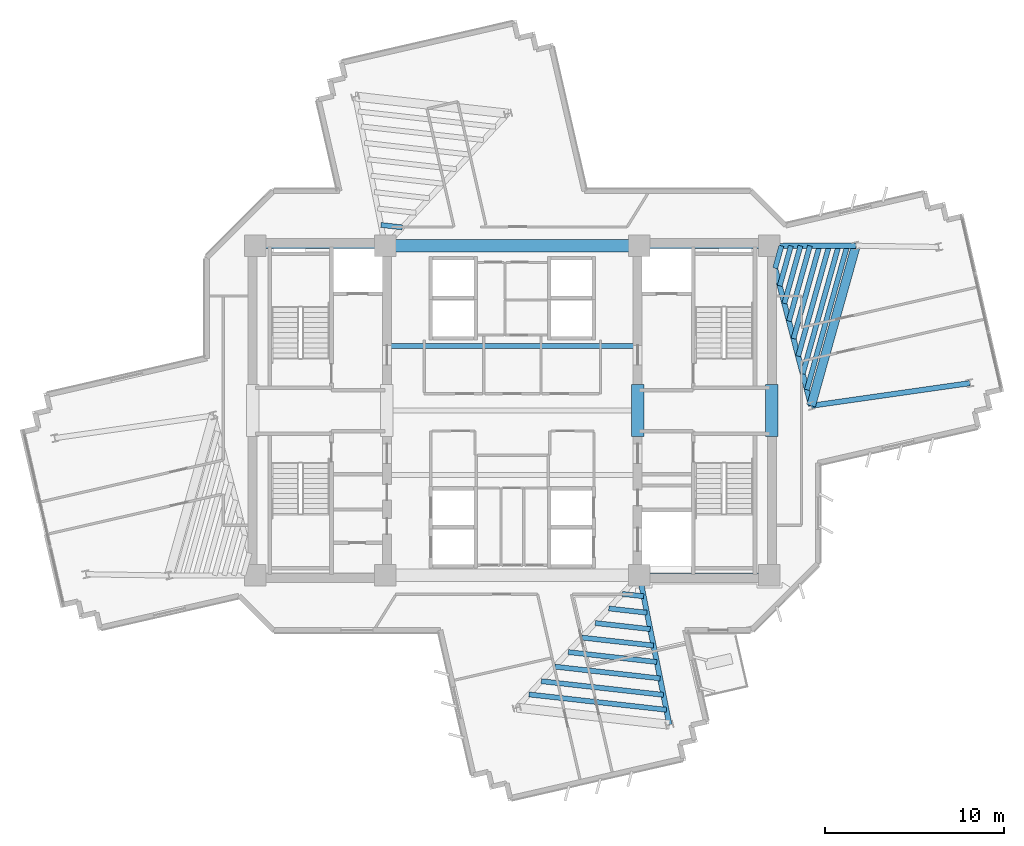
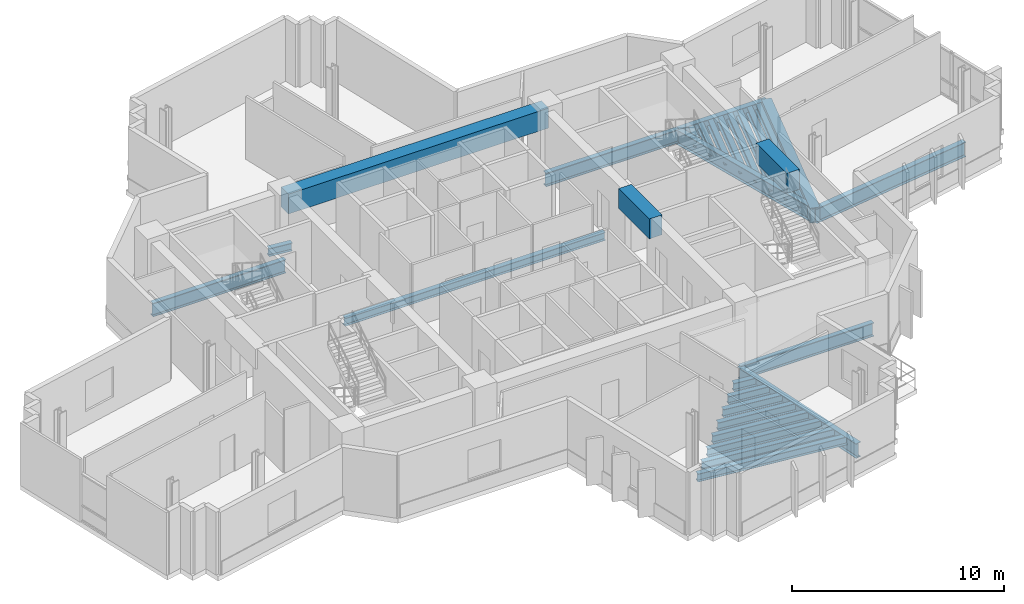
# One storey, part 3 of 13: 29 beams.
"""IFC4 building model written with IfcOpenShell, lengths in metres."""

from ifc_helpers import new_model, si_unit, direction, frame, origin, origin_2d, place, context, subcontext, project, spatial, rectangle, i_section, extrude, source, transform, mapped, material, material_profile, profile_set, type_object, element, save


model = new_model("IFC4")

# Units and contexts
model_context = context("Model", 3, precision=1e-05, world=origin(), true_north=direction((0.0, 1.0)))
body_context = subcontext(model_context, "Body", "Model", "MODEL_VIEW")
ifc_project = project(units=[si_unit("LENGTHUNIT", "METRE"), si_unit("AREAUNIT", "SQUARE_METRE"), si_unit("VOLUMEUNIT", "CUBIC_METRE"), si_unit("PLANEANGLEUNIT", "RADIAN"), si_unit("MASSUNIT", "GRAM", prefix="KILO")], contexts=[model_context])

# Site, building, storey
site_placement = place(None, origin())
site = spatial("IfcSite", under=ifc_project, at=site_placement, CompositionType="ELEMENT")
building_placement = place(site_placement, origin())
building = spatial("IfcBuilding", under=site, at=building_placement, Name="Zahravan Cultural Tower", CompositionType="ELEMENT")
storey_placement = place(building_placement, frame((0.0, 0.0, 170.699951171875)))
storey = spatial("IfcBuildingStorey", under=building, at=storey_placement, Name="L39", CompositionType="ELEMENT", Elevation=170.699951171875)

# Beams
ifc_material_1 = material(Name="Concrete C50/60", Category="concrete")
ifc_material_profile_1 = material_profile(ifc_material_1, rectangle(XDim=0.699951171875, YDim=1.14990234375, at=origin_2d()), Name="RC700X1150")
ifc_profile_set_1 = profile_set([ifc_material_profile_1], Name="Concrete C50/60")
beam_type_1 = type_object("IfcBeamType", Name="BM-LN-RC700X1150", PredefinedType="LINTEL", material=ifc_profile_set_1)
shared_shape_1 = source(origin(), body_context, "Body", "SweptSolid", [
    extrude(rectangle(XDim=0.699951171875, YDim=1.14990234375, at=origin_2d()), origin(), (0.0, 0.0, 1.0), 14.2001953125),
])
beam_1_placement = place(storey_placement, frame((28.89990234375, 36.199951171875, 3.045166015625), z_axis=(1.0, 0.0, 0.0), x_axis=(0.0, 1.0, 0.0)))
element("IfcBeam", 1, at=beam_1_placement, inside=storey, type_object=beam_type_1, Name="L39 Beam LN-L39-N", PredefinedType="LINTEL", context=body_context, shape_type="MappedRepresentation", body=[
    mapped(shared_shape_1, transform((0.0, 0.0, 0.0), x_axis=(1.0, 0.0, 0.0), y_axis=(0.0, 1.0, 0.0), z_axis=(0.0, 0.0, 1.0), scale=1.0)),
])
shared_shape_2 = source(origin(), body_context, "Body", "SweptSolid", [
    extrude(rectangle(XDim=0.699951171875, YDim=1.14990234375, at=origin_2d()), origin(), (0.0, 0.0, 1.0), 2.89990234375),
])
for number, where, z_axis, x_axis, name in (
    (2, (43.0, 25.550048828125, 3.045166015625), (0.0, 1.0, 0.0), (-1.0, 0.0, 0.0), "L39 Beam LN-L39-PEW"),
    (3, (50.5, 25.550048828125, 3.045166015625), (0.0, 1.0, 0.0), (-1.0, 0.0, 0.0), "L39 Beam LN-L39-PEE"),
):
    element("IfcBeam", number, at=place(storey_placement, frame(where, z_axis=z_axis, x_axis=x_axis)), inside=storey, type_object=beam_type_1, Name=name, PredefinedType="LINTEL", context=body_context, shape_type="MappedRepresentation", body=[
        mapped(shared_shape_2, transform((0.0, 0.0, 0.0), x_axis=(1.0, 0.0, 0.0), y_axis=(0.0, 1.0, 0.0), z_axis=(0.0, 0.0, 1.0), scale=1.0)),
    ])
ifc_material_2 = material(Name="Steel ASTM A992 Grade 50", Category="steel")
ifc_material_profile_2 = material_profile(ifc_material_2, i_section(OverallWidth=0.26611328125, OverallDepth=0.780029296875, WebThickness=0.0166015625, FlangeThickness=0.030029296875, FilletRadius=0.01904296875, at=origin_2d()), Name="W30X148")
ifc_profile_set_2 = profile_set([ifc_material_profile_2], Name="Steel ASTM A992 Grade 50")
beam_type_2 = type_object("IfcBeamType", Name="BM-G-W30X148", PredefinedType="BEAM", material=ifc_profile_set_2)
shared_shape_3 = source(origin(), body_context, "Body", "SweptSolid", [
    extrude(i_section(OverallWidth=0.26611328125, OverallDepth=0.780029296875, WebThickness=0.0166015625, FlangeThickness=0.030029296875, FilletRadius=0.01904296875, at=origin_2d()), origin(), (0.0, 0.0, 1.0), 7.25),
])
for number, where, z_axis, x_axis, name in (
    (4, (21.64990234375, 36.199951171875, -0.669921875), (1.0, 0.0, 0.0), (0.0, 1.0, 0.0), "L39 Beam BG-L39-02"),
    (5, (43.10009765625, 17.800048828125, -0.669921875), (1.0, 0.0, 0.0), (0.0, 1.0, 0.0), "L39 Beam BG-L39-04"),
    (6, (43.10009765625, 36.199951171875, -0.669921875), (1.0, 0.0, 0.0), (0.0, 1.0, 0.0), "L39 Beam BG-L39-05"),
):
    element("IfcBeam", number, at=place(storey_placement, frame(where, z_axis=z_axis, x_axis=x_axis)), inside=storey, type_object=beam_type_2, Name=name, PredefinedType="BEAM", context=body_context, shape_type="MappedRepresentation", body=[
        mapped(shared_shape_3, transform((0.0, 0.0, 0.0), x_axis=(1.0, 0.0, 0.0), y_axis=(0.0, 1.0, 0.0), z_axis=(0.0, 0.0, 1.0), scale=1.0)),
    ])
ifc_material_profile_3 = material_profile(ifc_material_1, rectangle(XDim=0.5, YDim=0.85009765625, at=origin_2d()), Name="RC500X850")
ifc_profile_set_3 = profile_set([ifc_material_profile_3], Name="Concrete C50/60")
beam_type_3 = type_object("IfcBeamType", Name="BM-SP-RC500X850", PredefinedType="SPANDREL", material=ifc_profile_set_3)
shared_shape_4 = source(origin(), body_context, "Body", "SweptSolid", [
    extrude(rectangle(XDim=0.5, YDim=0.85009765625, at=origin_2d()), origin(), (0.0, 0.0, 1.0), 9.2783203125),
])
beam_2_placement = place(storey_placement, frame((52.684326171875, 27.27099609375, -0.704833984375), z_axis=(0.269497187032, 0.963001176625, 0.0), x_axis=(-0.963001176625, 0.269497187032, 0.0)))
element("IfcBeam", 7, at=beam_2_placement, inside=storey, type_object=beam_type_3, Name="L39 Beam SP-L39-21", PredefinedType="SPANDREL", context=body_context, shape_type="MappedRepresentation", body=[
    mapped(shared_shape_4, transform((0.0, 0.0, 0.0), x_axis=(1.0, 0.0, 0.0), y_axis=(0.0, 1.0, 0.0), z_axis=(0.0, 0.0, 1.0), scale=1.0)),
])
ifc_material_profile_4 = material_profile(ifc_material_2, i_section(OverallWidth=0.29296875, OverallDepth=0.845947265625, WebThickness=0.015380859375, FlangeThickness=0.0244140625, FilletRadius=0.02001953125, at=origin_2d()), Name="W33X141")
ifc_profile_set_4 = profile_set([ifc_material_profile_4], Name="Steel ASTM A992 Grade 50")
beam_type_4 = type_object("IfcBeamType", Name="BM-G-W33X141", PredefinedType="BEAM", material=ifc_profile_set_4)
shared_shape_5 = source(origin(), body_context, "Body", "SweptSolid", [
    extrude(i_section(OverallWidth=0.29296875, OverallDepth=0.845947265625, WebThickness=0.015380859375, FlangeThickness=0.0244140625, FilletRadius=0.02001953125, at=origin_2d()), origin(), (0.0, 0.0, 1.0), 9.22900390625),
])
beam_3_placement = place(storey_placement, frame((50.35009765625, 36.199951171875, -0.702880859375), z_axis=(0.252922608408, -0.967486513682, 0.0), x_axis=(0.967486513682, 0.252922608408, 0.0)))
element("IfcBeam", 8, at=beam_3_placement, inside=storey, type_object=beam_type_4, Name="L39 Beam BG-L39-11", PredefinedType="BEAM", context=body_context, shape_type="MappedRepresentation", body=[
    mapped(shared_shape_5, transform((0.0, 0.0, 0.0), x_axis=(1.0, 0.0, 0.0), y_axis=(0.0, 1.0, 0.0), z_axis=(0.0, 0.0, 1.0), scale=1.0)),
])
shared_shape_6 = source(origin(), body_context, "Body", "SweptSolid", [
    extrude(i_section(OverallWidth=0.29296875, OverallDepth=0.845947265625, WebThickness=0.015380859375, FlangeThickness=0.0244140625, FilletRadius=0.02001953125, at=origin_2d()), origin(), (0.0, 0.0, 1.0), 4.834716796875),
])
beam_4_placement = place(storey_placement, frame((50.35009765625, 36.199951171875, -0.702880859375), z_axis=(0.99999920313, 0.001262433979, 0.0), x_axis=(-0.001262433979, 0.99999920313, 0.0)))
element("IfcBeam", 9, at=beam_4_placement, inside=storey, type_object=beam_type_4, Name="L39 Beam BG-L39-12", PredefinedType="BEAM", context=body_context, shape_type="MappedRepresentation", body=[
    mapped(shared_shape_6, transform((0.0, 0.0, 0.0), x_axis=(1.0, 0.0, 0.0), y_axis=(0.0, 1.0, 0.0), z_axis=(0.0, 0.0, 1.0), scale=1.0)),
])
shared_shape_7 = source(origin(), body_context, "Body", "SweptSolid", [
    extrude(i_section(OverallWidth=0.29296875, OverallDepth=0.845947265625, WebThickness=0.015380859375, FlangeThickness=0.0244140625, FilletRadius=0.02001953125, at=origin_2d()), origin(), (0.0, 0.0, 1.0), 8.50732421875),
])
beam_5_placement = place(storey_placement, frame((43.10009765625, 17.800048828125, -0.702880859375), z_axis=(0.196524514012, -0.980498911469, 0.0), x_axis=(0.980498911469, 0.196524514012, 0.0)))
element("IfcBeam", 10, at=beam_5_placement, inside=storey, type_object=beam_type_4, Name="L39 Beam BG-L39-10", PredefinedType="BEAM", context=body_context, shape_type="MappedRepresentation", body=[
    mapped(shared_shape_7, transform((0.0, 0.0, 0.0), x_axis=(1.0, 0.0, 0.0), y_axis=(0.0, 1.0, 0.0), z_axis=(0.0, 0.0, 1.0), scale=1.0)),
])
shared_shape_8 = source(origin(), body_context, "Body", "SweptSolid", [
    extrude(i_section(OverallWidth=0.29296875, OverallDepth=0.845947265625, WebThickness=0.015380859375, FlangeThickness=0.0244140625, FilletRadius=0.02001953125, at=origin_2d()), origin(), (0.0, 0.0, 1.0), 8.9580078125),
])
beam_6_placement = place(storey_placement, frame((52.684326171875, 27.27099609375, -0.702880859375), z_axis=(0.990000122431, 0.141066500584, 0.0), x_axis=(-0.141066500584, 0.990000122431, 0.0)))
element("IfcBeam", 11, at=beam_6_placement, inside=storey, type_object=beam_type_4, Name="L39 Beam BG-L39-15", PredefinedType="BEAM", context=body_context, shape_type="MappedRepresentation", body=[
    mapped(shared_shape_8, transform((0.0, 0.0, 0.0), x_axis=(1.0, 0.0, 0.0), y_axis=(0.0, 1.0, 0.0), z_axis=(0.0, 0.0, 1.0), scale=1.0)),
])
ifc_material_profile_5 = material_profile(ifc_material_2, i_section(OverallWidth=0.280029296875, OverallDepth=0.462890625, WebThickness=0.0107421875, FlangeThickness=0.017333984375, FilletRadius=0.012939453125, at=origin_2d()), Name="W18X76")
ifc_profile_set_5 = profile_set([ifc_material_profile_5], Name="Steel ASTM A992 Grade 50")
beam_type_5 = type_object("IfcBeamType", Name="BM-J-W18X76", PredefinedType="JOIST", material=ifc_profile_set_5)
shared_shape_9 = source(origin(), body_context, "Body", "SweptSolid", [
    extrude(i_section(OverallWidth=0.280029296875, OverallDepth=0.462890625, WebThickness=0.0107421875, FlangeThickness=0.017333984375, FilletRadius=0.012939453125, at=origin_2d()), origin(), (0.0, 0.0, 1.0), 14.2001953125),
])
beam_7_placement = place(storey_placement, frame((28.89990234375, 30.60009765625, -0.511474609375), z_axis=(1.0, 0.0, 0.0), x_axis=(0.0, 1.0, 0.0)))
element("IfcBeam", 12, at=beam_7_placement, inside=storey, type_object=beam_type_5, Name="L39 Beam BJ-L39-25", PredefinedType="JOIST", context=body_context, shape_type="MappedRepresentation", body=[
    mapped(shared_shape_9, transform((0.0, 0.0, 0.0), x_axis=(1.0, 0.0, 0.0), y_axis=(0.0, 1.0, 0.0), z_axis=(0.0, 0.0, 1.0), scale=1.0)),
])
shared_shape_10 = source(origin(), body_context, "Body", "SweptSolid", [
    extrude(i_section(OverallWidth=0.280029296875, OverallDepth=0.462890625, WebThickness=0.0107421875, FlangeThickness=0.017333984375, FilletRadius=0.012939453125, at=origin_2d()), origin(), (0.0, 0.0, 1.0), 1.299072265625),
])
beam_8_placement = place(storey_placement, frame((50.6767578125, 34.949951171875, -0.511474609375), z_axis=(0.269504444708, 0.962999145525, 0.0), x_axis=(-0.962999145525, 0.269504444708, 0.0)))
element("IfcBeam", 13, at=beam_8_placement, inside=storey, type_object=beam_type_5, Name="L39 Beam BJ-L39-42", PredefinedType="JOIST", context=body_context, shape_type="MappedRepresentation", body=[
    mapped(shared_shape_10, transform((0.0, 0.0, 0.0), x_axis=(1.0, 0.0, 0.0), y_axis=(0.0, 1.0, 0.0), z_axis=(0.0, 0.0, 1.0), scale=1.0)),
])
shared_shape_11 = source(origin(), body_context, "Body", "SweptSolid", [
    extrude(i_section(OverallWidth=0.280029296875, OverallDepth=0.462890625, WebThickness=0.0107421875, FlangeThickness=0.017333984375, FilletRadius=0.012939453125, at=origin_2d()), origin(), (0.0, 0.0, 1.0), 2.3193359375),
])
beam_9_placement = place(storey_placement, frame((50.93359375, 33.9677734375, -0.511474609375), z_axis=(0.269462038626, 0.963011012263, 0.0), x_axis=(-0.963011012263, 0.269462038626, 0.0)))
element("IfcBeam", 14, at=beam_9_placement, inside=storey, type_object=beam_type_5, Name="L39 Beam BJ-L39-43", PredefinedType="JOIST", context=body_context, shape_type="MappedRepresentation", body=[
    mapped(shared_shape_11, transform((0.0, 0.0, 0.0), x_axis=(1.0, 0.0, 0.0), y_axis=(0.0, 1.0, 0.0), z_axis=(0.0, 0.0, 1.0), scale=1.0)),
])
shared_shape_12 = source(origin(), body_context, "Body", "SweptSolid", [
    extrude(i_section(OverallWidth=0.280029296875, OverallDepth=0.462890625, WebThickness=0.0107421875, FlangeThickness=0.017333984375, FilletRadius=0.012939453125, at=origin_2d()), origin(), (0.0, 0.0, 1.0), 3.340087890625),
])
beam_10_placement = place(storey_placement, frame((51.190185546875, 32.985595703125, -0.511474609375), z_axis=(0.269562146951, 0.962982995141, 0.0), x_axis=(-0.962982995141, 0.269562146951, 0.0)))
element("IfcBeam", 15, at=beam_10_placement, inside=storey, type_object=beam_type_5, Name="L39 Beam BJ-L39-44", PredefinedType="JOIST", context=body_context, shape_type="MappedRepresentation", body=[
    mapped(shared_shape_12, transform((0.0, 0.0, 0.0), x_axis=(1.0, 0.0, 0.0), y_axis=(0.0, 1.0, 0.0), z_axis=(0.0, 0.0, 1.0), scale=1.0)),
])
shared_shape_13 = source(origin(), body_context, "Body", "SweptSolid", [
    extrude(i_section(OverallWidth=0.280029296875, OverallDepth=0.462890625, WebThickness=0.0107421875, FlangeThickness=0.017333984375, FilletRadius=0.012939453125, at=origin_2d()), origin(), (0.0, 0.0, 1.0), 4.36083984375),
])
beam_11_placement = place(storey_placement, frame((51.447021484375, 32.00341796875, -0.511474609375), z_axis=(0.269511557673, 0.962997154866, 0.0), x_axis=(-0.962997154866, 0.269511557673, 0.0)))
element("IfcBeam", 16, at=beam_11_placement, inside=storey, type_object=beam_type_5, Name="L39 Beam BJ-L39-45", PredefinedType="JOIST", context=body_context, shape_type="MappedRepresentation", body=[
    mapped(shared_shape_13, transform((0.0, 0.0, 0.0), x_axis=(1.0, 0.0, 0.0), y_axis=(0.0, 1.0, 0.0), z_axis=(0.0, 0.0, 1.0), scale=1.0)),
])
shared_shape_14 = source(origin(), body_context, "Body", "SweptSolid", [
    extrude(i_section(OverallWidth=0.280029296875, OverallDepth=0.462890625, WebThickness=0.0107421875, FlangeThickness=0.017333984375, FilletRadius=0.012939453125, at=origin_2d()), origin(), (0.0, 0.0, 1.0), 5.3818359375),
])
beam_12_placement = place(storey_placement, frame((51.703857421875, 31.02099609375, -0.511474609375), z_axis=(0.269510454638, 0.962997463569, 0.0), x_axis=(-0.962997463569, 0.269510454638, 0.0)))
element("IfcBeam", 17, at=beam_12_placement, inside=storey, type_object=beam_type_5, Name="L39 Beam BJ-L39-46", PredefinedType="JOIST", context=body_context, shape_type="MappedRepresentation", body=[
    mapped(shared_shape_14, transform((0.0, 0.0, 0.0), x_axis=(1.0, 0.0, 0.0), y_axis=(0.0, 1.0, 0.0), z_axis=(0.0, 0.0, 1.0), scale=1.0)),
])
shared_shape_15 = source(origin(), body_context, "Body", "SweptSolid", [
    extrude(i_section(OverallWidth=0.280029296875, OverallDepth=0.462890625, WebThickness=0.0107421875, FlangeThickness=0.017333984375, FilletRadius=0.012939453125, at=origin_2d()), origin(), (0.0, 0.0, 1.0), 6.402099609375),
])
beam_13_placement = place(storey_placement, frame((51.960693359375, 30.038818359375, -0.511474609375), z_axis=(0.269494133533, 0.963002031146, 0.0), x_axis=(-0.963002031146, 0.269494133533, 0.0)))
element("IfcBeam", 18, at=beam_13_placement, inside=storey, type_object=beam_type_5, Name="L39 Beam BJ-L39-47", PredefinedType="JOIST", context=body_context, shape_type="MappedRepresentation", body=[
    mapped(shared_shape_15, transform((0.0, 0.0, 0.0), x_axis=(1.0, 0.0, 0.0), y_axis=(0.0, 1.0, 0.0), z_axis=(0.0, 0.0, 1.0), scale=1.0)),
])
shared_shape_16 = source(origin(), body_context, "Body", "SweptSolid", [
    extrude(i_section(OverallWidth=0.280029296875, OverallDepth=0.462890625, WebThickness=0.0107421875, FlangeThickness=0.017333984375, FilletRadius=0.012939453125, at=origin_2d()), origin(), (0.0, 0.0, 1.0), 7.4228515625),
])
beam_14_placement = place(storey_placement, frame((52.21728515625, 29.056640625, -0.511474609375), z_axis=(0.269504266128, 0.962999195503, 0.0), x_axis=(-0.962999195503, 0.269504266128, 0.0)))
element("IfcBeam", 19, at=beam_14_placement, inside=storey, type_object=beam_type_5, Name="L39 Beam BJ-L39-48", PredefinedType="JOIST", context=body_context, shape_type="MappedRepresentation", body=[
    mapped(shared_shape_16, transform((0.0, 0.0, 0.0), x_axis=(1.0, 0.0, 0.0), y_axis=(0.0, 1.0, 0.0), z_axis=(0.0, 0.0, 1.0), scale=1.0)),
])
shared_shape_17 = source(origin(), body_context, "Body", "SweptSolid", [
    extrude(i_section(OverallWidth=0.280029296875, OverallDepth=0.462890625, WebThickness=0.0107421875, FlangeThickness=0.017333984375, FilletRadius=0.012939453125, at=origin_2d()), origin(), (0.0, 0.0, 1.0), 8.350830078125),
])
beam_15_placement = place(storey_placement, frame((52.450927734375, 28.163818359375, -0.511474609375), z_axis=(0.269496539555, 0.963001357822, 0.0), x_axis=(-0.963001357822, 0.269496539555, 0.0)))
element("IfcBeam", 20, at=beam_15_placement, inside=storey, type_object=beam_type_5, Name="L39 Beam BJ-L39-49", PredefinedType="JOIST", context=body_context, shape_type="MappedRepresentation", body=[
    mapped(shared_shape_17, transform((0.0, 0.0, 0.0), x_axis=(1.0, 0.0, 0.0), y_axis=(0.0, 1.0, 0.0), z_axis=(0.0, 0.0, 1.0), scale=1.0)),
])
shared_shape_18 = source(origin(), body_context, "Body", "SweptSolid", [
    extrude(i_section(OverallWidth=0.280029296875, OverallDepth=0.462890625, WebThickness=0.0107421875, FlangeThickness=0.017333984375, FilletRadius=0.012939453125, at=origin_2d()), origin(), (0.0, 0.0, 1.0), 1.201171875),
])
for number, where, z_axis, x_axis, name in (
    (21, (42.140380859375, 16.765625, -0.511474609375), (0.99379916149, -0.111190047317, 0.0), (0.111190047317, 0.99379916149, 0.0), "L39 Beam BJ-L39-34"),
    (22, (29.859619140625, 37.234375, -0.511474609375), (-0.99379916149, 0.111190047317, 0.0), (-0.111190047317, -0.99379916149, 0.0), "L39 Beam BJ-L39-50"),
):
    element("IfcBeam", number, at=place(storey_placement, frame(where, z_axis=z_axis, x_axis=x_axis)), inside=storey, type_object=beam_type_5, Name=name, PredefinedType="JOIST", context=body_context, shape_type="MappedRepresentation", body=[
        mapped(shared_shape_18, transform((0.0, 0.0, 0.0), x_axis=(1.0, 0.0, 0.0), y_axis=(0.0, 1.0, 0.0), z_axis=(0.0, 0.0, 1.0), scale=1.0)),
    ])
shared_shape_19 = source(origin(), body_context, "Body", "SweptSolid", [
    extrude(i_section(OverallWidth=0.280029296875, OverallDepth=0.462890625, WebThickness=0.0107421875, FlangeThickness=0.017333984375, FilletRadius=0.012939453125, at=origin_2d()), origin(), (0.0, 0.0, 1.0), 2.144775390625),
])
beam_16_placement = place(storey_placement, frame((41.386474609375, 15.953125, -0.511474609375), z_axis=(0.993797370806, -0.111206051, 0.0), x_axis=(0.111206051, 0.993797370806, 0.0)))
element("IfcBeam", 23, at=beam_16_placement, inside=storey, type_object=beam_type_5, Name="L39 Beam BJ-L39-35", PredefinedType="JOIST", context=body_context, shape_type="MappedRepresentation", body=[
    mapped(shared_shape_19, transform((0.0, 0.0, 0.0), x_axis=(1.0, 0.0, 0.0), y_axis=(0.0, 1.0, 0.0), z_axis=(0.0, 0.0, 1.0), scale=1.0)),
])
shared_shape_20 = source(origin(), body_context, "Body", "SweptSolid", [
    extrude(i_section(OverallWidth=0.280029296875, OverallDepth=0.462890625, WebThickness=0.0107421875, FlangeThickness=0.017333984375, FilletRadius=0.012939453125, at=origin_2d()), origin(), (0.0, 0.0, 1.0), 3.088623046875),
])
beam_17_placement = place(storey_placement, frame((40.63232421875, 15.140380859375, -0.511474609375), z_axis=(0.993805407368, -0.111134208443, 0.0), x_axis=(0.111134208443, 0.993805407368, 0.0)))
element("IfcBeam", 24, at=beam_17_placement, inside=storey, type_object=beam_type_5, Name="L39 Beam BJ-L39-36", PredefinedType="JOIST", context=body_context, shape_type="MappedRepresentation", body=[
    mapped(shared_shape_20, transform((0.0, 0.0, 0.0), x_axis=(1.0, 0.0, 0.0), y_axis=(0.0, 1.0, 0.0), z_axis=(0.0, 0.0, 1.0), scale=1.0)),
])
shared_shape_21 = source(origin(), body_context, "Body", "SweptSolid", [
    extrude(i_section(OverallWidth=0.280029296875, OverallDepth=0.462890625, WebThickness=0.0107421875, FlangeThickness=0.017333984375, FilletRadius=0.012939453125, at=origin_2d()), origin(), (0.0, 0.0, 1.0), 4.0322265625),
])
beam_18_placement = place(storey_placement, frame((39.87841796875, 14.327880859375, -0.511474609375), z_axis=(0.993802245601, -0.11116247855, 0.0), x_axis=(0.11116247855, 0.993802245601, 0.0)))
element("IfcBeam", 25, at=beam_18_placement, inside=storey, type_object=beam_type_5, Name="L39 Beam BJ-L39-37", PredefinedType="JOIST", context=body_context, shape_type="MappedRepresentation", body=[
    mapped(shared_shape_21, transform((0.0, 0.0, 0.0), x_axis=(1.0, 0.0, 0.0), y_axis=(0.0, 1.0, 0.0), z_axis=(0.0, 0.0, 1.0), scale=1.0)),
])
shared_shape_22 = source(origin(), body_context, "Body", "SweptSolid", [
    extrude(i_section(OverallWidth=0.280029296875, OverallDepth=0.462890625, WebThickness=0.0107421875, FlangeThickness=0.017333984375, FilletRadius=0.012939453125, at=origin_2d()), origin(), (0.0, 0.0, 1.0), 4.97607421875),
])
beam_19_placement = place(storey_placement, frame((39.124267578125, 13.51513671875, -0.511474609375), z_axis=(0.993806308517, -0.111126149723, 0.0), x_axis=(0.111126149723, 0.993806308517, 0.0)))
element("IfcBeam", 26, at=beam_19_placement, inside=storey, type_object=beam_type_5, Name="L39 Beam BJ-L39-38", PredefinedType="JOIST", context=body_context, shape_type="MappedRepresentation", body=[
    mapped(shared_shape_22, transform((0.0, 0.0, 0.0), x_axis=(1.0, 0.0, 0.0), y_axis=(0.0, 1.0, 0.0), z_axis=(0.0, 0.0, 1.0), scale=1.0)),
])
shared_shape_23 = source(origin(), body_context, "Body", "SweptSolid", [
    extrude(i_section(OverallWidth=0.280029296875, OverallDepth=0.462890625, WebThickness=0.0107421875, FlangeThickness=0.017333984375, FilletRadius=0.012939453125, at=origin_2d()), origin(), (0.0, 0.0, 1.0), 5.919921875),
])
beam_20_placement = place(storey_placement, frame((38.370361328125, 12.70263671875, -0.511474609375), z_axis=(0.993804520866, -0.111142135602, 0.0), x_axis=(0.111142135602, 0.993804520866, 0.0)))
element("IfcBeam", 27, at=beam_20_placement, inside=storey, type_object=beam_type_5, Name="L39 Beam BJ-L39-39", PredefinedType="JOIST", context=body_context, shape_type="MappedRepresentation", body=[
    mapped(shared_shape_23, transform((0.0, 0.0, 0.0), x_axis=(1.0, 0.0, 0.0), y_axis=(0.0, 1.0, 0.0), z_axis=(0.0, 0.0, 1.0), scale=1.0)),
])
shared_shape_24 = source(origin(), body_context, "Body", "SweptSolid", [
    extrude(i_section(OverallWidth=0.280029296875, OverallDepth=0.462890625, WebThickness=0.0107421875, FlangeThickness=0.017333984375, FilletRadius=0.012939453125, at=origin_2d()), origin(), (0.0, 0.0, 1.0), 6.86376953125),
])
beam_21_placement = place(storey_placement, frame((37.6162109375, 11.889892578125, -0.511474609375), z_axis=(0.993803224695, -0.111153725024, 0.0), x_axis=(0.111153725024, 0.993803224695, 0.0)))
element("IfcBeam", 28, at=beam_21_placement, inside=storey, type_object=beam_type_5, Name="L39 Beam BJ-L39-40", PredefinedType="JOIST", context=body_context, shape_type="MappedRepresentation", body=[
    mapped(shared_shape_24, transform((0.0, 0.0, 0.0), x_axis=(1.0, 0.0, 0.0), y_axis=(0.0, 1.0, 0.0), z_axis=(0.0, 0.0, 1.0), scale=1.0)),
])
shared_shape_25 = source(origin(), body_context, "Body", "SweptSolid", [
    extrude(i_section(OverallWidth=0.280029296875, OverallDepth=0.462890625, WebThickness=0.0107421875, FlangeThickness=0.017333984375, FilletRadius=0.012939453125, at=origin_2d()), origin(), (0.0, 0.0, 1.0), 7.7216796875),
])
beam_22_placement = place(storey_placement, frame((36.930908203125, 11.151123046875, -0.511474609375), z_axis=(0.993805212115, -0.11113595446, 0.0), x_axis=(0.11113595446, 0.993805212115, 0.0)))
element("IfcBeam", 29, at=beam_22_placement, inside=storey, type_object=beam_type_5, Name="L39 Beam BJ-L39-41", PredefinedType="JOIST", context=body_context, shape_type="MappedRepresentation", body=[
    mapped(shared_shape_25, transform((0.0, 0.0, 0.0), x_axis=(1.0, 0.0, 0.0), y_axis=(0.0, 1.0, 0.0), z_axis=(0.0, 0.0, 1.0), scale=1.0)),
])

save(model, "model.ifc")
